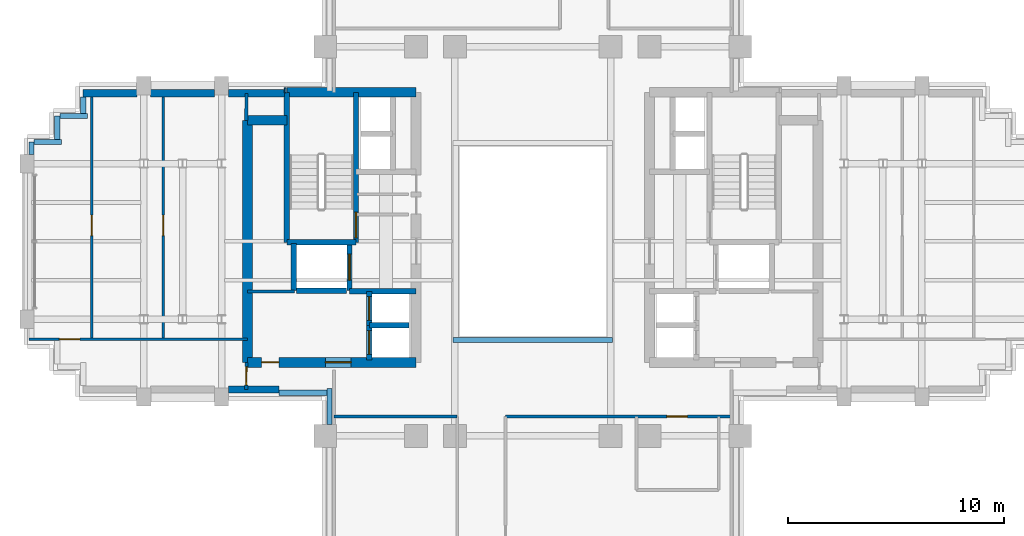
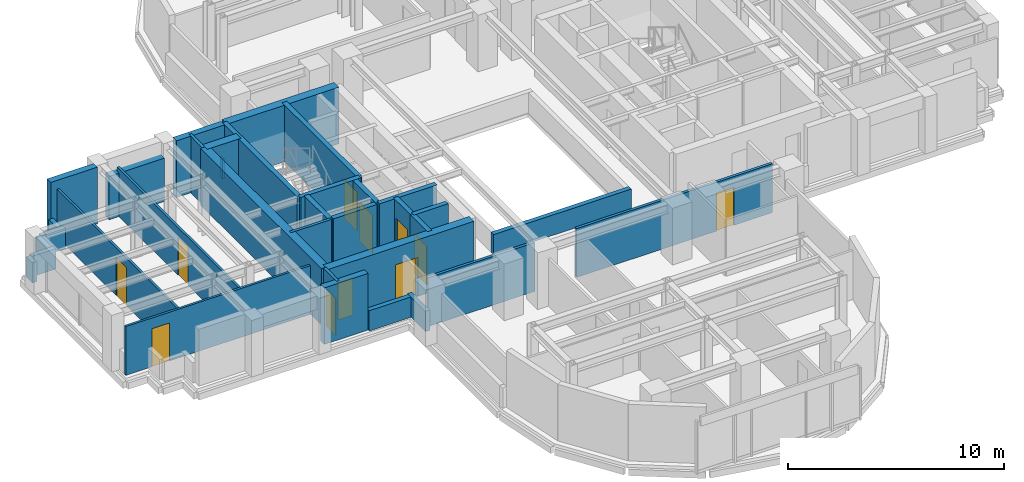
# One storey, part 8 of 14: 35 walls, 11 doors, 11 openings.
"""IFC4 building model written with IfcOpenShell, lengths in metres."""

from ifc_helpers import new_model, si_unit, direction, frame, frame_2d, origin, place, context, subcontext, project, spatial, rectangle, extrude, source, transform, mapped, material, layer, layer_set, type_object, element, fill, save


model = new_model("IFC4")

# Units and contexts
model_context = context("Model", 3, precision=1e-05, world=origin(), true_north=direction((0.0, 1.0)))
body_context = subcontext(model_context, "Body", "Model", "MODEL_VIEW")
ifc_project = project(units=[si_unit("LENGTHUNIT", "METRE"), si_unit("AREAUNIT", "SQUARE_METRE"), si_unit("VOLUMEUNIT", "CUBIC_METRE"), si_unit("PLANEANGLEUNIT", "RADIAN"), si_unit("MASSUNIT", "GRAM", prefix="KILO")], contexts=[model_context])

# Site, building, storey
site_placement = place(None, origin())
site = spatial("IfcSite", under=ifc_project, at=site_placement, CompositionType="ELEMENT")
building_placement = place(site_placement, origin())
building = spatial("IfcBuilding", under=site, at=building_placement, Name="Keilestroom Media Tower", CompositionType="ELEMENT")
storey_placement = place(building_placement, frame((0.0, 0.0, 117.60009765625)))
storey = spatial("IfcBuildingStorey", under=building, at=storey_placement, Name="L31", CompositionType="ELEMENT", Elevation=117.60009765625)

# Walls
ifc_material_1 = material(Name="Precast concrete C40/50", Category="concrete")
ifc_layer_1 = layer(ifc_material_1, 0.340087890625)
ifc_layer_set_1 = layer_set([ifc_layer_1], Name="Precast concrete C40/50")
wall_type_1 = type_object("IfcWallType", Name="Exterior-Masonry-Spandrel-Wall-340", PredefinedType="SOLIDWALL", material=ifc_layer_set_1)
wall_1_placement = place(storey_placement, frame((-20.800048828125, 6.85009765625, 0.0), z_axis=(0.0, 0.0, 1.0), x_axis=(1.0, 0.0, 0.0)))
element("IfcWall", 1, at=wall_1_placement, inside=storey, type_object=wall_type_1, Name="L31 Flank Masonry Wall EWL-L31-NW-1", PredefinedType="SOLIDWALL", context=body_context, shape_type="SweptSolid", body=[
    extrude(rectangle(XDim=2.483154296875, YDim=0.340087890625, at=frame_2d((1.24169921875, 0.0))), origin(), (0.0, 0.0, 1.0), 3.199951171875),
])
wall_2_placement = place(storey_placement, frame((-17.68310546875, 6.85009765625, 0.0), z_axis=(0.0, 0.0, 1.0), x_axis=(1.0, 0.0, 0.0)))
element("IfcWall", 2, at=wall_2_placement, inside=storey, type_object=wall_type_1, Name="L31 Flank Masonry Wall EWL-L31-NW-2", PredefinedType="SOLIDWALL", context=body_context, shape_type="SweptSolid", body=[
    extrude(rectangle(XDim=2.966064453125, YDim=0.340087890625, at=frame_2d((1.48291015625, 0.0))), origin(), (0.0, 0.0, 1.0), 2.449951171875),
])
wall_3_placement = place(storey_placement, frame((-14.0830078125, 6.85009765625, 0.0), z_axis=(0.0, 0.0, 1.0), x_axis=(1.0, 0.0, 0.0)))
element("IfcWall", 3, at=wall_3_placement, inside=storey, type_object=wall_type_1, Name="L31 Flank Masonry Wall EWL-L31-NW-3", PredefinedType="SOLIDWALL", context=body_context, shape_type="SweptSolid", body=[
    extrude(rectangle(XDim=2.5849609375, YDim=0.340087890625, at=frame_2d((1.29248046875, 0.0))), origin(), (0.0, 0.0, 1.0), 3.199951171875),
])
wall_4_placement = place(storey_placement, frame((-14.0830078125, -6.85009765625, 0.0), z_axis=(0.0, 0.0, 1.0), x_axis=(1.0, 0.0, 0.0)))
element("IfcWall", 4, at=wall_4_placement, inside=storey, type_object=wall_type_1, Name="L31 Flank Masonry Wall EWL-L31-SW-3", PredefinedType="SOLIDWALL", context=body_context, shape_type="SweptSolid", body=[
    extrude(rectangle(XDim=2.3330078125, YDim=0.340087890625, at=frame_2d((1.16650390625, 0.0))), origin(), (0.0, 0.0, 1.0), 3.199951171875),
])

# Wall, opening, door
ifc_material_2 = material(Name="Gypsum Plasterboard & Steel Stud", Category="steel")
ifc_layer_2 = layer(ifc_material_2, 0.1201171875)
ifc_layer_set_2 = layer_set([ifc_layer_2], Name="Gypsum Plasterboard & Steel Stud")
wall_type_2 = type_object("IfcWallType", Name="Interior-Partition-Wall-120", PredefinedType="PARTITIONING", material=ifc_layer_set_2)
wall_5_placement = place(storey_placement, frame((-23.300048828125, -4.530029296875, 0.0), z_axis=(0.0, 0.0, 1.0), x_axis=(1.0, 0.0, 0.0)))
wall_5 = element("IfcWall", 5, at=wall_5_placement, inside=storey, type_object=wall_type_2, Name="L31 Interior Wall WP-L31-WA-CN", PredefinedType="PARTITIONING", context=body_context, shape_type="SweptSolid", body=[
    extrude(rectangle(XDim=10.10009765625, YDim=0.1201171875, at=frame_2d((5.050048828125, 0.0))), origin(), (0.0, 0.0, 1.0), 2.760009765625),
])
opening_1_placement = place(wall_5_placement, frame((1.39990234375, 0.0, 0.0)))
opening_1 = element("IfcOpeningElement", 6, at=opening_1_placement, cuts=wall_5, Name="Opening DI-03", PredefinedType="OPENING", context=body_context, shape_type="SweptSolid", body=[
    extrude(rectangle(XDim=0.949951171875, YDim=2.14990234375, at=frame_2d((0.47509765625, 1.074951171875))), frame((0.0, 0.070068359375, 0.0), z_axis=(0.0, -1.0, 0.0), x_axis=(1.0, 0.0, 0.0)), (0.0, 0.0, 1.0), 0.14013671875),
])
ifc_material_3 = material(Name="Lacquered European Oak Leaf", Category="wood")
door_type_1 = type_object("IfcDoorType", Name="Interior-Room-And-Suite-Door-DI-03", OperationType="NOTDEFINED", PredefinedType="DOOR", material=ifc_material_3)
shared_shape_1 = source(origin(), body_context, "Body", "SweptSolid", [
    extrude(rectangle(XDim=0.949951171875, YDim=2.14990234375, at=frame_2d((0.47509765625, 1.074951171875))), frame((0.0, 0.02490234375, 0.0), z_axis=(0.0, -1.0, 0.0), x_axis=(1.0, 0.0, 0.0)), (0.0, 0.0, 1.0), 0.050048828125),
])
door_1_placement = place(opening_1_placement, origin())
door_1 = element("IfcDoor", 7, at=door_1_placement, inside=storey, type_object=door_type_1, Name="L31 Interior Door DI-L31-DWA-RN1", OperationType="SINGLE_SWING_RIGHT", OverallHeight=2.14990234375, OverallWidth=0.949951171875, PredefinedType="DOOR", context=body_context, shape_type="MappedRepresentation", body=[
    mapped(shared_shape_1, transform((0.0, 0.0, 0.0), x_axis=(1.0, 0.0, 0.0), y_axis=(0.0, 1.0, 0.0), z_axis=(0.0, 0.0, 1.0), scale=1.0)),
])
fill(opening_1, door_1)

wall_6_placement = place(storey_placement, frame((-20.39990234375, -4.530029296875, 0.0), z_axis=(0.0, 0.0, 1.0), x_axis=(0.0, 1.0, 0.0)))
wall_6 = element("IfcWall", 8, at=wall_6_placement, inside=storey, type_object=wall_type_2, Name="L31 Interior Wall WP-L31-WA-VM1", PredefinedType="PARTITIONING", context=body_context, shape_type="SweptSolid", body=[
    extrude(rectangle(XDim=11.380126953125, YDim=0.1201171875, at=frame_2d((5.68994140625, 0.0))), origin(), (0.0, 0.0, 1.0), 2.699951171875),
])
opening_2_placement = place(wall_6_placement, frame((4.800048828125, 0.0, 0.0)))
opening_2 = element("IfcOpeningElement", 9, at=opening_2_placement, cuts=wall_6, Name="Opening DI-03", PredefinedType="OPENING", context=body_context, shape_type="SweptSolid", body=[
    extrude(rectangle(XDim=0.949951171875, YDim=2.14990234375, at=frame_2d((0.47509765625, 1.074951171875))), frame((0.0, 0.070068359375, 0.0), z_axis=(0.0, -1.0, 0.0), x_axis=(1.0, 0.0, 0.0)), (0.0, 0.0, 1.0), 0.14013671875),
])
door_2_placement = place(opening_2_placement, origin())
door_2 = element("IfcDoor", 10, at=door_2_placement, inside=storey, type_object=door_type_1, Name="L31 Interior Door DI-L31-DWA-RN2", OperationType="SINGLE_SWING_LEFT", OverallHeight=2.14990234375, OverallWidth=0.949951171875, PredefinedType="DOOR", context=body_context, shape_type="MappedRepresentation", body=[
    mapped(shared_shape_1, transform((0.0, 0.0, 0.0), x_axis=(1.0, 0.0, 0.0), y_axis=(0.0, 1.0, 0.0), z_axis=(0.0, 0.0, 1.0), scale=1.0)),
])
fill(opening_2, door_2)

wall_7_placement = place(storey_placement, frame((-17.10009765625, -4.530029296875, 0.0), z_axis=(0.0, 0.0, 1.0), x_axis=(0.0, 1.0, 0.0)))
wall_7 = element("IfcWall", 11, at=wall_7_placement, inside=storey, type_object=wall_type_2, Name="L31 Interior Wall WP-L31-WA-VM2", PredefinedType="PARTITIONING", context=body_context, shape_type="SweptSolid", body=[
    extrude(rectangle(XDim=11.380126953125, YDim=0.1201171875, at=frame_2d((5.68994140625, 0.0))), origin(), (0.0, 0.0, 1.0), 2.699951171875),
])
opening_3_placement = place(wall_7_placement, frame((4.800048828125, 0.0, 0.0)))
opening_3 = element("IfcOpeningElement", 12, at=opening_3_placement, cuts=wall_7, Name="Opening DI-03", PredefinedType="OPENING", context=body_context, shape_type="SweptSolid", body=[
    extrude(rectangle(XDim=0.949951171875, YDim=2.14990234375, at=frame_2d((0.47509765625, 1.074951171875))), frame((0.0, 0.070068359375, 0.0), z_axis=(0.0, -1.0, 0.0), x_axis=(1.0, 0.0, 0.0)), (0.0, 0.0, 1.0), 0.14013671875),
])
door_3_placement = place(opening_3_placement, origin())
door_3 = element("IfcDoor", 13, at=door_3_placement, inside=storey, type_object=door_type_1, Name="L31 Interior Door DI-L31-DWA-RN3", OperationType="SINGLE_SWING_RIGHT", OverallHeight=2.14990234375, OverallWidth=0.949951171875, PredefinedType="DOOR", context=body_context, shape_type="MappedRepresentation", body=[
    mapped(shared_shape_1, transform((0.0, 0.0, 0.0), x_axis=(1.0, 0.0, 0.0), y_axis=(0.0, 1.0, 0.0), z_axis=(0.0, 0.0, 1.0), scale=1.0)),
])
fill(opening_3, door_3)

# Walls
ifc_layer_3 = layer(ifc_material_2, 0.14990234375)
ifc_layer_set_3 = layer_set([ifc_layer_3], Name="Gypsum Plasterboard & Steel Stud")
wall_type_3 = type_object("IfcWallType", Name="Interior-Partition-Wall-150", PredefinedType="PARTITIONING", material=ifc_layer_set_3)
wall_8_placement = place(storey_placement, frame((-13.199951171875, -2.320068359375, 0.0), z_axis=(0.0, 0.0, 1.0), x_axis=(1.0, 0.0, 0.0)))
element("IfcWall", 14, at=wall_8_placement, inside=storey, type_object=wall_type_3, Name="L31 Interior Wall WP-L31-RECLW-N", PredefinedType="PARTITIONING", context=body_context, shape_type="SweptSolid", body=[
    extrude(rectangle(XDim=2.179931640625, YDim=0.14990234375, at=frame_2d((1.08984375, 0.0))), origin(), (0.0, 0.0, 1.0), 3.199951171875),
])
wall_9_placement = place(storey_placement, frame((-9.199951171875, -8.10009765625, 0.0), z_axis=(0.0, 0.0, 1.0), x_axis=(1.0, 0.0, 0.0)))
element("IfcWall", 15, at=wall_9_placement, inside=storey, type_object=wall_type_3, Name="L31 Interior Wall WP-L31-SL-BASE-W", PredefinedType="PARTITIONING", context=body_context, shape_type="SweptSolid", body=[
    extrude(rectangle(XDim=5.699951171875, YDim=0.14990234375, at=frame_2d((2.85009765625, 0.0))), origin(), (0.0, 0.0, 1.0), 2.760009765625),
])

# Wall, opening, door
wall_10_placement = place(storey_placement, frame((-1.260009765625, -8.10009765625, 0.0), z_axis=(0.0, 0.0, 1.0), x_axis=(1.0, 0.0, 0.0)))
wall_10 = element("IfcWall", 16, at=wall_10_placement, inside=storey, type_object=wall_type_3, Name="L31 Interior Wall WP-L31-SL-BASE-E", PredefinedType="PARTITIONING", context=body_context, shape_type="SweptSolid", body=[
    extrude(rectangle(XDim=10.4599609375, YDim=0.14990234375, at=frame_2d((5.22998046875, 0.0))), origin(), (0.0, 0.0, 1.0), 2.760009765625),
])
opening_4_placement = place(wall_10_placement, frame((7.4599609375, 0.0, 0.0)))
opening_4 = element("IfcOpeningElement", 17, at=opening_4_placement, cuts=wall_10, Name="Opening DI-03", PredefinedType="OPENING", context=body_context, shape_type="SweptSolid", body=[
    extrude(rectangle(XDim=0.949951171875, YDim=2.14990234375, at=frame_2d((0.47509765625, 1.074951171875))), frame((0.0, 0.0849609375, 0.0), z_axis=(0.0, -1.0, 0.0), x_axis=(1.0, 0.0, 0.0)), (0.0, 0.0, 1.0), 0.169921875),
])
door_4_placement = place(opening_4_placement, origin())
door_4 = element("IfcDoor", 18, at=door_4_placement, inside=storey, type_object=door_type_1, Name="L31 Interior Door DI-L31-DSL-WC", OperationType="SINGLE_SWING_RIGHT", OverallHeight=2.14990234375, OverallWidth=0.949951171875, PredefinedType="DOOR", context=body_context, shape_type="MappedRepresentation", body=[
    mapped(shared_shape_1, transform((0.0, 0.0, 0.0), x_axis=(1.0, 0.0, 0.0), y_axis=(0.0, 1.0, 0.0), z_axis=(0.0, 0.0, 1.0), scale=1.0)),
])
fill(opening_4, door_4)

# Wall
wall_11_placement = place(storey_placement, frame((-13.260009765625, 5.60009765625, 0.0), z_axis=(0.0, 0.0, 1.0), x_axis=(0.016013571389, 0.999871774545, 0.0)))
element("IfcWall", 19, at=wall_11_placement, inside=storey, type_object=wall_type_3, Name="L31 Interior Wall WP-L31-WA-ENTN", PredefinedType="PARTITIONING", context=body_context, shape_type="SweptSolid", body=[
    extrude(rectangle(XDim=1.250244140625, YDim=0.14990234375, at=frame_2d((0.625, 0.0))), origin(), (0.0, 0.0, 1.0), 3.199951171875),
])

# Wall, opening, door
wall_12_placement = place(storey_placement, frame((-13.260009765625, -6.85009765625, 0.0), z_axis=(0.0, 0.0, 1.0), x_axis=(0.016013571389, 0.999871774545, 0.0)))
wall_12 = element("IfcWall", 20, at=wall_12_placement, inside=storey, type_object=wall_type_3, Name="L31 Interior Wall WP-L31-WA-ENTS", PredefinedType="PARTITIONING", context=body_context, shape_type="SweptSolid", body=[
    extrude(rectangle(XDim=1.250244140625, YDim=0.14990234375, at=frame_2d((0.625, 0.0))), origin(), (0.0, 0.0, 1.0), 3.199951171875),
])
opening_5_placement = place(wall_12_placement, frame((0.199951171875, 0.0, 0.0)))
opening_5 = element("IfcOpeningElement", 21, at=opening_5_placement, cuts=wall_12, Name="Opening DI-05", PredefinedType="OPENING", context=body_context, shape_type="SweptSolid", body=[
    extrude(rectangle(XDim=0.85009765625, YDim=2.10009765625, at=frame_2d((0.425048828125, 1.050048828125))), frame((0.0, 0.0849609375, 0.0), z_axis=(0.0, -1.0, 0.0), x_axis=(1.0, 0.0, 0.0)), (0.0, 0.0, 1.0), 0.169921875),
])
ifc_material_4 = material(Name="Moisture-Resistant Oak Leaf", Category="wood")
door_type_2 = type_object("IfcDoorType", Name="Interior-En-Suite-And-Cupboard-Door-DI-05", OperationType="NOTDEFINED", PredefinedType="DOOR", material=ifc_material_4)
shared_shape_2 = source(origin(), body_context, "Body", "SweptSolid", [
    extrude(rectangle(XDim=0.85009765625, YDim=2.10009765625, at=frame_2d((0.425048828125, 1.050048828125))), frame((0.0, 0.02490234375, 0.0), z_axis=(0.0, -1.0, 0.0), x_axis=(1.0, 0.0, 0.0)), (0.0, 0.0, 1.0), 0.050048828125),
])
door_5_placement = place(opening_5_placement, origin())
door_5 = element("IfcDoor", 22, at=door_5_placement, inside=storey, type_object=door_type_2, Name="L31 Interior Door DI-L31-DWA-ENTS", OperationType="SINGLE_SWING_RIGHT", OverallHeight=2.10009765625, OverallWidth=0.85009765625, PredefinedType="DOOR", context=body_context, shape_type="MappedRepresentation", body=[
    mapped(shared_shape_2, transform((0.0, 0.0, 0.0), x_axis=(1.0, 0.0, 0.0), y_axis=(0.0, 1.0, 0.0), z_axis=(0.0, 0.0, 1.0), scale=1.0)),
])
fill(opening_5, door_5)

# Walls
ifc_material_5 = material(Name="Concrete C55/67", Category="concrete")
ifc_layer_4 = layer(ifc_material_5, 0.449951171875)
ifc_layer_set_4 = layer_set([ifc_layer_4], Name="Concrete C55/67")
wall_type_4 = type_object("IfcWallType", Name="Reinforced-Concrete-Core-Shear-Wall-450", PredefinedType="SHEAR", material=ifc_layer_set_4)
wall_13_placement = place(storey_placement, frame((-13.199951171875, -5.60009765625, 0.0), z_axis=(0.0, 0.0, 1.0), x_axis=(0.0, 1.0, 0.0)))
element("IfcWall", 23, at=wall_13_placement, inside=storey, type_object=wall_type_4, Name="L31 Core Shear Wall WL-L31-CORE-W-OUT", PredefinedType="SHEAR", context=body_context, shape_type="SweptSolid", body=[
    extrude(rectangle(XDim=11.2001953125, YDim=0.449951171875, at=frame_2d((5.60009765625, 0.0))), origin(), (0.0, 0.0, 1.0), 3.199951171875),
])
wall_14_placement = place(storey_placement, frame((-11.381103515625, 6.89990234375, 0.0), z_axis=(0.0, 0.0, 1.0), x_axis=(1.0, 0.0, 0.0)))
element("IfcWall", 24, at=wall_14_placement, inside=storey, type_object=wall_type_4, Name="L31 Core Shear Wall WL-L31-CORE-W-N", PredefinedType="SHEAR", context=body_context, shape_type="SweptSolid", body=[
    extrude(rectangle(XDim=5.981201171875, YDim=0.449951171875, at=frame_2d((2.99072265625, 0.0))), origin(), (0.0, 0.0, 1.0), 3.199951171875),
])
wall_15_placement = place(storey_placement, frame((-13.199951171875, 5.60009765625, 0.0), z_axis=(0.0, 0.0, 1.0), x_axis=(1.0, 0.0, 0.0)))
element("IfcWall", 25, at=wall_15_placement, inside=storey, type_object=wall_type_4, Name="L31 Core Shear Wall WL-L31-CNW-N", PredefinedType="SHEAR", context=body_context, shape_type="SweptSolid", body=[
    extrude(rectangle(XDim=1.81884765625, YDim=0.449951171875, at=frame_2d((0.909423828125, 0.0))), origin(), (0.0, 0.0, 1.0), 3.199951171875),
])

# Wall, openings, doors
wall_16_placement = place(storey_placement, frame((-13.199951171875, -5.60009765625, 0.0), z_axis=(0.0, 0.0, 1.0), x_axis=(1.0, 0.0, 0.0)))
wall_16 = element("IfcWall", 26, at=wall_16_placement, inside=storey, type_object=wall_type_4, Name="L31 Core Shear Wall WL-L31-CORE-W-S", PredefinedType="SHEAR", context=body_context, shape_type="SweptSolid", body=[
    extrude(rectangle(XDim=7.800048828125, YDim=0.449951171875, at=frame_2d((3.89990234375, 0.0))), origin(), (0.0, 0.0, 1.0), 3.199951171875),
])
opening_6_placement = place(wall_16_placement, frame((3.60009765625, 0.0, 0.0)))
opening_6 = element("IfcOpeningElement", 27, at=opening_6_placement, cuts=wall_16, Name="Opening DI-02", PredefinedType="OPENING", context=body_context, shape_type="SweptSolid", body=[
    extrude(rectangle(XDim=1.199951171875, YDim=2.199951171875, at=frame_2d((0.60009765625, 1.10009765625))), frame((0.0, 0.23486328125, 0.0), z_axis=(0.0, -1.0, 0.0), x_axis=(1.0, 0.0, 0.0)), (0.0, 0.0, 1.0), 0.469970703125),
])
opening_7_placement = place(wall_16_placement, frame((0.64990234375, 0.0, 0.0)))
opening_7 = element("IfcOpeningElement", 28, at=opening_7_placement, cuts=wall_16, Name="Opening DI-06", PredefinedType="OPENING", context=body_context, shape_type="SweptSolid", body=[
    extrude(rectangle(XDim=0.800048828125, YDim=2.10009765625, at=frame_2d((0.39990234375, 1.050048828125))), frame((0.0, 0.23486328125, 0.0), z_axis=(0.0, -1.0, 0.0), x_axis=(1.0, 0.0, 0.0)), (0.0, 0.0, 1.0), 0.469970703125),
])
ifc_material_6 = material(Name="Powder-Coated Steel Fire Leaf", Category="steel")
door_type_3 = type_object("IfcDoorType", Name="Interior-Compartment-Fire-Door-DI-02", OperationType="NOTDEFINED", PredefinedType="DOOR", material=ifc_material_6)
shared_shape_3 = source(origin(), body_context, "Body", "SweptSolid", [
    extrude(rectangle(XDim=1.199951171875, YDim=2.199951171875, at=frame_2d((0.60009765625, 1.10009765625))), frame((0.0, 0.02490234375, 0.0), z_axis=(0.0, -1.0, 0.0), x_axis=(1.0, 0.0, 0.0)), (0.0, 0.0, 1.0), 0.050048828125),
])
door_6_placement = place(opening_6_placement, origin())
door_6 = element("IfcDoor", 29, at=door_6_placement, inside=storey, type_object=door_type_3, Name="L31 W Passenger Lift Lobby Door", OperationType="SINGLE_SWING_LEFT", OverallHeight=2.199951171875, OverallWidth=1.199951171875, PredefinedType="DOOR", context=body_context, shape_type="MappedRepresentation", body=[
    mapped(shared_shape_3, transform((0.0, 0.0, 0.0), x_axis=(1.0, 0.0, 0.0), y_axis=(0.0, 1.0, 0.0), z_axis=(0.0, 0.0, 1.0), scale=1.0)),
])
fill(opening_6, door_6)
ifc_material_7 = material(Name="Powder-Coated Steel Service Leaf", Category="steel")
door_type_4 = type_object("IfcDoorType", Name="Interior-Riser-Access-Door-DI-06", OperationType="NOTDEFINED", PredefinedType="DOOR", material=ifc_material_7)
shared_shape_4 = source(origin(), body_context, "Body", "SweptSolid", [
    extrude(rectangle(XDim=0.800048828125, YDim=2.10009765625, at=frame_2d((0.39990234375, 1.050048828125))), frame((0.0, 0.02490234375, 0.0), z_axis=(0.0, -1.0, 0.0), x_axis=(1.0, 0.0, 0.0)), (0.0, 0.0, 1.0), 0.050048828125),
])
door_7_placement = place(opening_7_placement, origin())
door_7 = element("IfcDoor", 30, at=door_7_placement, inside=storey, type_object=door_type_4, Name="L31 Reclaimed West Core Room Door", OperationType="SINGLE_SWING_LEFT", OverallHeight=2.10009765625, OverallWidth=0.800048828125, PredefinedType="DOOR", context=body_context, shape_type="MappedRepresentation", body=[
    mapped(shared_shape_4, transform((0.0, 0.0, 0.0), x_axis=(1.0, 0.0, 0.0), y_axis=(0.0, 1.0, 0.0), z_axis=(0.0, 0.0, 1.0), scale=1.0)),
])
fill(opening_7, door_7)

# Wall
ifc_material_8 = material(Name="Concrete C50/60", Category="concrete")
ifc_layer_5 = layer(ifc_material_8, 0.25)
ifc_layer_set_5 = layer_set([ifc_layer_5], Name="Concrete C50/60")
wall_type_5 = type_object("IfcWallType", Name="Reinforced-Concrete-Shaft-Wall-250", PredefinedType="SOLIDWALL", material=ifc_layer_set_5)
wall_17_placement = place(storey_placement, frame((-8.47998046875, -2.300048828125, 0.0), z_axis=(0.0, 0.0, 1.0), x_axis=(1.0, 0.0, 0.0)))
element("IfcWall", 31, at=wall_17_placement, inside=storey, type_object=wall_type_5, Name="L31 Core Shear Wall WL-L31-CORE-W-FFS", PredefinedType="SOLIDWALL", context=body_context, shape_type="SweptSolid", body=[
    extrude(rectangle(XDim=3.080078125, YDim=0.25, at=frame_2d((1.5400390625, 0.0))), origin(), (0.0, 0.0, 1.0), 3.199951171875),
])

# Wall, opening, door
wall_18_placement = place(storey_placement, frame((-8.178955078125, -0.041015625, 0.0), z_axis=(0.0, 0.0, 1.0), x_axis=(0.0, 1.0, 0.0)))
wall_18 = element("IfcWall", 32, at=wall_18_placement, inside=storey, type_object=wall_type_5, Name="L31 Core Shear Wall WL-L31-STW-W-NEAR", PredefinedType="SOLIDWALL", context=body_context, shape_type="SweptSolid", body=[
    extrude(rectangle(XDim=6.94091796875, YDim=0.25, at=frame_2d((3.470458984375, 0.0))), origin(), (0.0, 0.0, 1.0), 3.199951171875),
])
opening_8_placement = place(wall_18_placement, frame((0.199951171875, 0.0, 0.0)))
opening_8 = element("IfcOpeningElement", 33, at=opening_8_placement, cuts=wall_18, Name="Opening DI-01S", PredefinedType="OPENING", context=body_context, shape_type="SweptSolid", body=[
    extrude(rectangle(XDim=1.199951171875, YDim=2.199951171875, at=frame_2d((0.60009765625, 1.10009765625))), frame((0.0, 0.135009765625, 0.0), z_axis=(0.0, -1.0, 0.0), x_axis=(1.0, 0.0, 0.0)), (0.0, 0.0, 1.0), 0.27001953125),
])
door_type_5 = type_object("IfcDoorType", Name="Interior-Stair-And-Core-Fire-Door-DI-01", OperationType="NOTDEFINED", PredefinedType="DOOR", material=ifc_material_6)
door_8_placement = place(opening_8_placement, origin())
door_8 = element("IfcDoor", 34, at=door_8_placement, inside=storey, type_object=door_type_5, Name="L31 Escape Stair ST-1 Fire Door", OperationType="SINGLE_SWING_LEFT", OverallHeight=2.199951171875, OverallWidth=1.199951171875, PredefinedType="DOOR", context=body_context, shape_type="MappedRepresentation", body=[
    mapped(shared_shape_3, transform((0.0, 0.0, 0.0), x_axis=(1.0, 0.0, 0.0), y_axis=(0.0, 1.0, 0.0), z_axis=(0.0, 0.0, 1.0), scale=1.0)),
])
fill(opening_8, door_8)

# Walls
wall_19_placement = place(storey_placement, frame((-11.381103515625, -0.041015625, 0.0), z_axis=(0.0, 0.0, 1.0), x_axis=(0.0, 1.0, 0.0)))
element("IfcWall", 35, at=wall_19_placement, inside=storey, type_object=wall_type_5, Name="L31 Core Shear Wall WL-L31-STW-W-FAR", PredefinedType="SOLIDWALL", context=body_context, shape_type="SweptSolid", body=[
    extrude(rectangle(XDim=6.94091796875, YDim=0.25, at=frame_2d((3.470458984375, 0.0))), origin(), (0.0, 0.0, 1.0), 3.199951171875),
])
wall_20_placement = place(storey_placement, frame((-11.381103515625, -0.041015625, 0.0), z_axis=(0.0, 0.0, 1.0), x_axis=(1.0, 0.0, 0.0)))
element("IfcWall", 36, at=wall_20_placement, inside=storey, type_object=wall_type_5, Name="L31 Core Shear Wall WL-L31-STW-W-S", PredefinedType="SOLIDWALL", context=body_context, shape_type="SweptSolid", body=[
    extrude(rectangle(XDim=3.2021484375, YDim=0.25, at=frame_2d((1.60107421875, 0.0))), origin(), (0.0, 0.0, 1.0), 3.199951171875),
])
wall_21_placement = place(storey_placement, frame((-11.050048828125, -2.280029296875, 0.0), z_axis=(0.0, 0.0, 1.0), x_axis=(0.0, 1.0, 0.0)))
element("IfcWall", 37, at=wall_21_placement, inside=storey, type_object=wall_type_5, Name="L31 Core Shear Wall WL-L31-LSH-FFL-1-W", PredefinedType="SOLIDWALL", context=body_context, shape_type="SweptSolid", body=[
    extrude(rectangle(XDim=2.179931640625, YDim=0.25, at=frame_2d((1.08984375, 0.0))), origin(), (0.0, 0.0, 1.0), 3.199951171875),
])

# Wall, opening, door
wall_22_placement = place(storey_placement, frame((-8.47998046875, -2.280029296875, 0.0), z_axis=(0.0, 0.0, 1.0), x_axis=(0.0, 1.0, 0.0)))
wall_22 = element("IfcWall", 38, at=wall_22_placement, inside=storey, type_object=wall_type_5, Name="L31 Core Shear Wall WL-L31-LSH-FFL-1-E", PredefinedType="SOLIDWALL", context=body_context, shape_type="SweptSolid", body=[
    extrude(rectangle(XDim=2.179931640625, YDim=0.25, at=frame_2d((1.08984375, 0.0))), origin(), (0.0, 0.0, 1.0), 3.199951171875),
])
opening_9_placement = place(wall_22_placement, frame((0.489990234375, 0.0, 0.0)))
opening_9 = element("IfcOpeningElement", 39, at=opening_9_placement, cuts=wall_22, Name="Opening LD-02", PredefinedType="OPENING", context=body_context, shape_type="SweptSolid", body=[
    extrude(rectangle(XDim=1.199951171875, YDim=2.199951171875, at=frame_2d((0.60009765625, 1.10009765625))), frame((0.0, 0.135009765625, 0.0), z_axis=(0.0, -1.0, 0.0), x_axis=(1.0, 0.0, 0.0)), (0.0, 0.0, 1.0), 0.27001953125),
])
ifc_material_9 = material(Name="Brushed Stainless Steel Sliding Leaf", Category="steel")
door_type_6 = type_object("IfcDoorType", Name="Lift-Landing-Sliding-Door-LD-02", OperationType="SLIDING_TO_RIGHT", PredefinedType="DOOR", material=ifc_material_9)
door_9_placement = place(opening_9_placement, origin())
door_9 = element("IfcDoor", 40, at=door_9_placement, inside=storey, type_object=door_type_6, Name="L31 Lift FFL-1 Landing Sliding Door", OperationType="SLIDING_TO_RIGHT", OverallHeight=2.199951171875, OverallWidth=1.199951171875, PredefinedType="DOOR", context=body_context, shape_type="MappedRepresentation", body=[
    mapped(shared_shape_3, transform((0.0, 0.0, 0.0), x_axis=(1.0, 0.0, 0.0), y_axis=(0.0, 1.0, 0.0), z_axis=(0.0, 0.0, 1.0), scale=1.0)),
])
fill(opening_9, door_9)

# Wall
wall_23_placement = place(storey_placement, frame((-10.9208984375, -2.280029296875, 0.0), z_axis=(0.0, 0.0, 1.0), x_axis=(1.0, 0.0, 0.0)))
element("IfcWall", 41, at=wall_23_placement, inside=storey, type_object=wall_type_5, Name="L31 Core Shear Wall WL-L31-LSH-FFL-1-S", PredefinedType="SOLIDWALL", context=body_context, shape_type="SweptSolid", body=[
    extrude(rectangle(XDim=2.31201171875, YDim=0.25, at=frame_2d((1.156005859375, 0.0))), origin(), (0.0, 0.0, 1.0), 3.199951171875),
])

# Wall, opening, door
wall_24_placement = place(storey_placement, frame((-7.56005859375, -5.47998046875, 0.0), z_axis=(0.0, 0.0, 1.0), x_axis=(0.0, 1.0, 0.0)))
wall_24 = element("IfcWall", 42, at=wall_24_placement, inside=storey, type_object=wall_type_5, Name="L31 Core Shear Wall WL-L31-LSH-PL-M1-W", PredefinedType="SOLIDWALL", context=body_context, shape_type="SweptSolid", body=[
    extrude(rectangle(XDim=1.60009765625, YDim=0.25, at=frame_2d((0.800048828125, 0.0))), origin(), (0.0, 0.0, 1.0), 3.199951171875),
])
opening_10_placement = place(wall_24_placement, frame((0.25, 0.0, 0.0)))
opening_10 = element("IfcOpeningElement", 43, at=opening_10_placement, cuts=wall_24, Name="Opening LD-01", PredefinedType="OPENING", context=body_context, shape_type="SweptSolid", body=[
    extrude(rectangle(XDim=1.10009765625, YDim=2.199951171875, at=frame_2d((0.550048828125, 1.10009765625))), frame((0.0, 0.135009765625, 0.0), z_axis=(0.0, -1.0, 0.0), x_axis=(1.0, 0.0, 0.0)), (0.0, 0.0, 1.0), 0.27001953125),
])
door_type_7 = type_object("IfcDoorType", Name="Lift-Landing-Sliding-Door-LD-01", OperationType="SLIDING_TO_LEFT", PredefinedType="DOOR", material=ifc_material_9)
shared_shape_5 = source(origin(), body_context, "Body", "SweptSolid", [
    extrude(rectangle(XDim=1.10009765625, YDim=2.199951171875, at=frame_2d((0.550048828125, 1.10009765625))), frame((0.0, 0.02490234375, 0.0), z_axis=(0.0, -1.0, 0.0), x_axis=(1.0, 0.0, 0.0)), (0.0, 0.0, 1.0), 0.050048828125),
])
door_10_placement = place(opening_10_placement, origin())
door_10 = element("IfcDoor", 44, at=door_10_placement, inside=storey, type_object=door_type_7, Name="L31 Lift PL-M1 Landing Sliding Door", OperationType="SLIDING_TO_LEFT", OverallHeight=2.199951171875, OverallWidth=1.10009765625, PredefinedType="DOOR", context=body_context, shape_type="MappedRepresentation", body=[
    mapped(shared_shape_5, transform((0.0, 0.0, 0.0), x_axis=(1.0, 0.0, 0.0), y_axis=(0.0, 1.0, 0.0), z_axis=(0.0, 0.0, 1.0), scale=1.0)),
])
fill(opening_10, door_10)

# Wall
wall_25_placement = place(storey_placement, frame((-7.56005859375, -3.8798828125, 0.0), z_axis=(0.0, 0.0, 1.0), x_axis=(1.0, 0.0, 0.0)))
element("IfcWall", 45, at=wall_25_placement, inside=storey, type_object=wall_type_5, Name="L31 Core Shear Wall WL-L31-LSH-PL-M1-N", PredefinedType="SOLIDWALL", context=body_context, shape_type="SweptSolid", body=[
    extrude(rectangle(XDim=1.840087890625, YDim=0.25, at=frame_2d((0.919921875, 0.0))), origin(), (0.0, 0.0, 1.0), 3.199951171875),
])

# Wall, opening, door
wall_26_placement = place(storey_placement, frame((-7.56005859375, -3.8798828125, 0.0), z_axis=(0.0, 0.0, 1.0), x_axis=(0.0, 1.0, 0.0)))
wall_26 = element("IfcWall", 46, at=wall_26_placement, inside=storey, type_object=wall_type_5, Name="L31 Core Shear Wall WL-L31-LSH-PL-M2-W", PredefinedType="SOLIDWALL", context=body_context, shape_type="SweptSolid", body=[
    extrude(rectangle(XDim=1.559814453125, YDim=0.25, at=frame_2d((0.77978515625, 0.0))), origin(), (0.0, 0.0, 1.0), 3.199951171875),
])
opening_11_placement = place(wall_26_placement, frame((0.22998046875, 0.0, 0.0)))
opening_11 = element("IfcOpeningElement", 47, at=opening_11_placement, cuts=wall_26, Name="Opening LD-01", PredefinedType="OPENING", context=body_context, shape_type="SweptSolid", body=[
    extrude(rectangle(XDim=1.10009765625, YDim=2.199951171875, at=frame_2d((0.550048828125, 1.10009765625))), frame((0.0, 0.135009765625, 0.0), z_axis=(0.0, -1.0, 0.0), x_axis=(1.0, 0.0, 0.0)), (0.0, 0.0, 1.0), 0.27001953125),
])
door_11_placement = place(opening_11_placement, origin())
door_11 = element("IfcDoor", 48, at=door_11_placement, inside=storey, type_object=door_type_7, Name="L31 Lift PL-M2 Landing Sliding Door", OperationType="SLIDING_TO_LEFT", OverallHeight=2.199951171875, OverallWidth=1.10009765625, PredefinedType="DOOR", context=body_context, shape_type="MappedRepresentation", body=[
    mapped(shared_shape_5, transform((0.0, 0.0, 0.0), x_axis=(1.0, 0.0, 0.0), y_axis=(0.0, 1.0, 0.0), z_axis=(0.0, 0.0, 1.0), scale=1.0)),
])
fill(opening_11, door_11)

# Walls
ifc_layer_6 = layer(ifc_material_1, 0.239990234375)
ifc_layer_set_6 = layer_set([ifc_layer_6], Name="Precast concrete C40/50")
wall_type_6 = type_object("IfcWallType", Name="Roof-And-Terrace-Parapet-Wall-240", PredefinedType="PARAPET", material=ifc_layer_set_6)
wall_27_placement = place(storey_placement, frame((-9.39990234375, -8.471923828125, 0.0), z_axis=(0.0, 0.0, 1.0), x_axis=(0.0, 1.0, 0.0)))
element("IfcWall", 49, at=wall_27_placement, inside=storey, type_object=wall_type_6, Name="L31 Perimeter Edge Parapet Wall 09", PredefinedType="PARAPET", context=body_context, shape_type="SweptSolid", body=[
    extrude(rectangle(XDim=1.671875, YDim=0.239990234375, at=frame_2d((0.8359375, 0.0))), origin(), (0.0, 0.0, 1.0), 1.14990234375),
])
wall_28_placement = place(storey_placement, frame((-9.52294921875, -7.0, 0.0), z_axis=(0.0, 0.0, 1.0), x_axis=(-1.0, 0.0, 0.0)))
element("IfcWall", 50, at=wall_28_placement, inside=storey, type_object=wall_type_6, Name="L31 Perimeter Edge Parapet Wall 10", PredefinedType="PARAPET", context=body_context, shape_type="SweptSolid", body=[
    extrude(rectangle(XDim=2.22412109375, YDim=0.239990234375, at=frame_2d((1.112060546875, 0.0))), origin(), (0.0, 0.0, 1.0), 1.14990234375),
])
wall_29_placement = place(storey_placement, frame((-23.199951171875, 4.028076171875, 0.0), z_axis=(0.0, 0.0, 1.0), x_axis=(0.0, 1.0, 0.0)))
element("IfcWall", 51, at=wall_29_placement, inside=storey, type_object=wall_type_6, Name="L31 Perimeter Edge Parapet Wall 15", PredefinedType="PARAPET", context=body_context, shape_type="SweptSolid", body=[
    extrude(rectangle(XDim=0.572021484375, YDim=0.239990234375, at=frame_2d((0.2861328125, 0.0))), origin(), (0.0, 0.0, 1.0), 1.14990234375),
])
wall_30_placement = place(storey_placement, frame((-23.076904296875, 4.60009765625, 0.0), z_axis=(0.0, 0.0, 1.0), x_axis=(1.0, 0.0, 0.0)))
element("IfcWall", 52, at=wall_30_placement, inside=storey, type_object=wall_type_6, Name="L31 Perimeter Edge Parapet Wall 16", PredefinedType="PARAPET", context=body_context, shape_type="SweptSolid", body=[
    extrude(rectangle(XDim=1.27685546875, YDim=0.239990234375, at=frame_2d((0.638427734375, 0.0))), origin(), (0.0, 0.0, 1.0), 1.14990234375),
])
wall_31_placement = place(storey_placement, frame((-22.0, 4.722900390625, 0.0), z_axis=(0.0, 0.0, 1.0), x_axis=(0.0, 1.0, 0.0)))
element("IfcWall", 53, at=wall_31_placement, inside=storey, type_object=wall_type_6, Name="L31 Perimeter Edge Parapet Wall 17", PredefinedType="PARAPET", context=body_context, shape_type="SweptSolid", body=[
    extrude(rectangle(XDim=1.0771484375, YDim=0.239990234375, at=frame_2d((0.53857421875, 0.0))), origin(), (0.0, 0.0, 1.0), 1.14990234375),
])
wall_32_placement = place(storey_placement, frame((-21.876953125, 5.800048828125, 0.0), z_axis=(0.0, 0.0, 1.0), x_axis=(1.0, 0.0, 0.0)))
element("IfcWall", 54, at=wall_32_placement, inside=storey, type_object=wall_type_6, Name="L31 Perimeter Edge Parapet Wall 18", PredefinedType="PARAPET", context=body_context, shape_type="SweptSolid", body=[
    extrude(rectangle(XDim=1.27685546875, YDim=0.239990234375, at=frame_2d((0.638427734375, 0.0))), origin(), (0.0, 0.0, 1.0), 1.14990234375),
])
wall_33_placement = place(storey_placement, frame((-20.800048828125, 5.923095703125, 0.0), z_axis=(0.0, 0.0, 1.0), x_axis=(0.0, 1.0, 0.0)))
element("IfcWall", 55, at=wall_33_placement, inside=storey, type_object=wall_type_6, Name="L31 Perimeter Edge Parapet Wall 19", PredefinedType="PARAPET", context=body_context, shape_type="SweptSolid", body=[
    extrude(rectangle(XDim=0.75390625, YDim=0.239990234375, at=frame_2d((0.376953125, 0.0))), origin(), (0.0, 0.0, 1.0), 1.14990234375),
])
wall_34_placement = place(storey_placement, frame((-11.4951171875, 7.0, 0.0), z_axis=(0.0, 0.0, 1.0), x_axis=(1.0, 0.0, 0.0)))
element("IfcWall", 56, at=wall_34_placement, inside=storey, type_object=wall_type_6, Name="L31 Perimeter Edge Parapet Wall 20", PredefinedType="PARAPET", context=body_context, shape_type="SweptSolid", body=[
    extrude(rectangle(XDim=0.092041015625, YDim=0.239990234375, at=frame_2d((0.0458984375, 0.0))), origin(), (0.0, 0.0, 1.0), 1.14990234375),
])
wall_35_placement = place(storey_placement, frame((-3.679931640625, -4.56005859375, 0.0), z_axis=(0.0, 0.0, 1.0), x_axis=(1.0, 0.0, 0.0)))
element("IfcWall", 57, at=wall_35_placement, inside=storey, type_object=wall_type_6, Name="L31 Central Atrium Guard Parapet S", PredefinedType="PARAPET", context=body_context, shape_type="SweptSolid", body=[
    extrude(rectangle(XDim=7.35986328125, YDim=0.239990234375, at=frame_2d((3.679931640625, 0.0))), origin(), (0.0, 0.0, 1.0), 1.14990234375),
])

save(model, "model.ifc")
